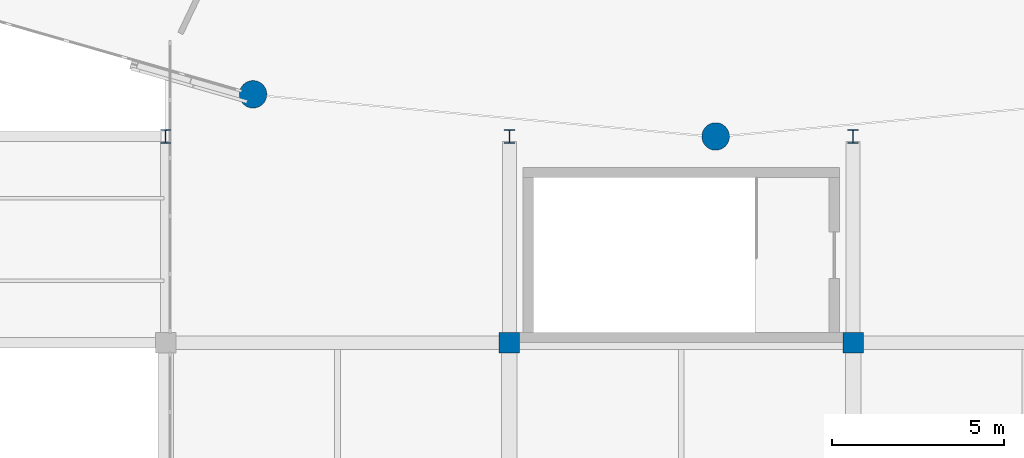
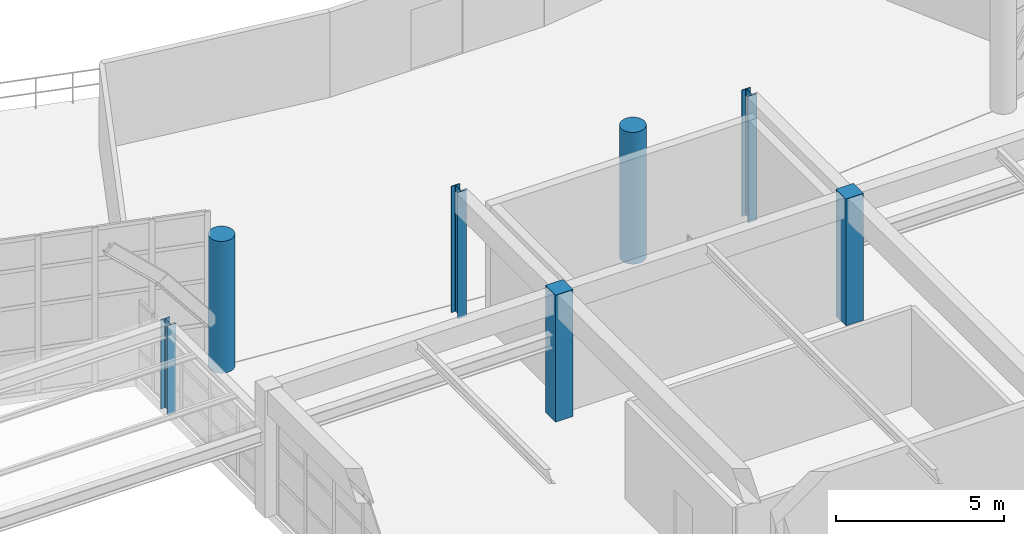
# One storey, part 4 of 109: 7 columns.
"""IFC4 building model written with IfcOpenShell, lengths in metres."""

from ifc_helpers import new_model, si_unit, direction, frame, origin, origin_2d, place, context, subcontext, project, spatial, rectangle, circle, i_section, extrude, material, material_profile, profile_set, type_object, element, save


model = new_model("IFC4")

# Units and contexts
model_context = context("Model", 3, precision=1e-05, world=origin(), true_north=direction((0.0, 1.0)))
body_context = subcontext(model_context, "Body", "Model", "MODEL_VIEW")
ifc_project = project(units=[si_unit("LENGTHUNIT", "METRE"), si_unit("AREAUNIT", "SQUARE_METRE"), si_unit("VOLUMEUNIT", "CUBIC_METRE"), si_unit("PLANEANGLEUNIT", "RADIAN"), si_unit("MASSUNIT", "GRAM", prefix="KILO")], contexts=[model_context])

# Site, building, storey
site_placement = place(None, origin())
site = spatial("IfcSite", under=ifc_project, at=site_placement, CompositionType="ELEMENT")
building_placement = place(site_placement, origin())
building = spatial("IfcBuilding", under=site, at=building_placement, Name="Kivolera Central Railway Station", CompositionType="ELEMENT")
storey_placement = place(building_placement, frame((0.0, 0.0, 9.60009765625)))
storey = spatial("IfcBuildingStorey", under=building, at=storey_placement, Name="L02", CompositionType="ELEMENT", Elevation=9.60009765625)

# Columns
ifc_material_1 = material(Name="Concrete C40/50", Category="concrete")
ifc_material_profile_1 = material_profile(ifc_material_1, rectangle(XDim=0.60009765625, YDim=0.60009765625, at=origin_2d()), Name="RC 600x600")
ifc_profile_set_1 = profile_set([ifc_material_profile_1], Name="Concrete C40/50")
column_type_1 = type_object("IfcColumnType", Name="COL-RC-600", PredefinedType="COLUMN", material=ifc_profile_set_1)
for number, where, z_axis, x_axis, name in (
    (1, (58.0, 48.0, 0.0), (0.0, 0.0, 1.0), (1.0, 0.0, 0.0), "L02 Train Shed Upper Mast 6-D"),
    (2, (68.0, 48.0, 0.0), (0.0, 0.0, 1.0), (1.0, 0.0, 0.0), "L02 Train Shed Upper Mast 7-D"),
):
    element("IfcColumn", number, at=place(storey_placement, frame(where, z_axis=z_axis, x_axis=x_axis)), inside=storey, type_object=column_type_1, Name=name, PredefinedType="COLUMN", context=body_context, shape_type="SweptSolid", body=[
        extrude(rectangle(XDim=0.60009765625, YDim=0.60009765625, at=origin_2d()), origin(), (0.0, 0.0, 1.0), 4.619873046875),
    ])
ifc_material_profile_2 = material_profile(ifc_material_1, circle(Radius=0.39990234375, at=origin_2d()), Name="RC D800")
ifc_profile_set_2 = profile_set([ifc_material_profile_2], Name="Concrete C40/50")
column_type_2 = type_object("IfcColumnType", Name="COL-RC-D800", PredefinedType="COLUMN", material=ifc_profile_set_2)
for number, where, z_axis, x_axis, name in (
    (3, (50.541015625, 55.22705078125, 0.0), (0.0, 0.0, 1.0), (1.0, 0.0, 0.0), "L02 Oval Drum Perimeter Column P18"),
    (4, (64.0, 54.0, 0.0), (0.0, 0.0, 1.0), (1.0, 0.0, 0.0), "L02 Oval Drum Perimeter Column P19"),
):
    element("IfcColumn", number, at=place(storey_placement, frame(where, z_axis=z_axis, x_axis=x_axis)), inside=storey, type_object=column_type_2, Name=name, PredefinedType="COLUMN", context=body_context, shape_type="SweptSolid", body=[
        extrude(circle(Radius=0.39990234375, at=origin_2d()), origin(), (0.0, 0.0, 1.0), 4.7998046875),
    ])
ifc_material_2 = material(Name="Steel S355", Category="steel")
ifc_material_profile_3 = material_profile(ifc_material_2, i_section(OverallWidth=0.300048828125, OverallDepth=0.39990234375, WebThickness=0.013427734375, FlangeThickness=0.02392578125, FilletRadius=0.027099609375, at=origin_2d()), Name="HEB 400")
ifc_profile_set_3 = profile_set([ifc_material_profile_3], Name="Steel S355")
column_type_3 = type_object("IfcColumnType", Name="COL-STL-HEB400", PredefinedType="COLUMN", material=ifc_profile_set_3)
column_placement = place(storey_placement, frame((48.0, 54.0, 0.0), z_axis=(0.0, 0.0, 1.0), x_axis=(1.0, 0.0, 0.0)))
element("IfcColumn", 5, at=column_placement, inside=storey, type_object=column_type_3, Name="L02 Train Shed Threshold Column 5-E", PredefinedType="COLUMN", context=body_context, shape_type="SweptSolid", body=[
    extrude(i_section(OverallWidth=0.300048828125, OverallDepth=0.39990234375, WebThickness=0.013427734375, FlangeThickness=0.02392578125, FilletRadius=0.027099609375, at=origin_2d()), origin(), (0.0, 0.0, 1.0), 3.25),
])
for number, where, z_axis, x_axis, name in (
    (6, (58.0, 54.0, 0.0), (0.0, 0.0, 1.0), (1.0, 0.0, 0.0), "L02 Train Shed Threshold Column 6-E"),
    (7, (68.0, 54.0, 0.0), (0.0, 0.0, 1.0), (1.0, 0.0, 0.0), "L02 Train Shed Threshold Column 7-E"),
):
    element("IfcColumn", number, at=place(storey_placement, frame(where, z_axis=z_axis, x_axis=x_axis)), inside=storey, type_object=column_type_3, Name=name, PredefinedType="COLUMN", context=body_context, shape_type="SweptSolid", body=[
        extrude(i_section(OverallWidth=0.300048828125, OverallDepth=0.39990234375, WebThickness=0.013427734375, FlangeThickness=0.02392578125, FilletRadius=0.027099609375, at=origin_2d()), origin(), (0.0, 0.0, 1.0), 4.599853515625),
    ])

save(model, "model.ifc")
